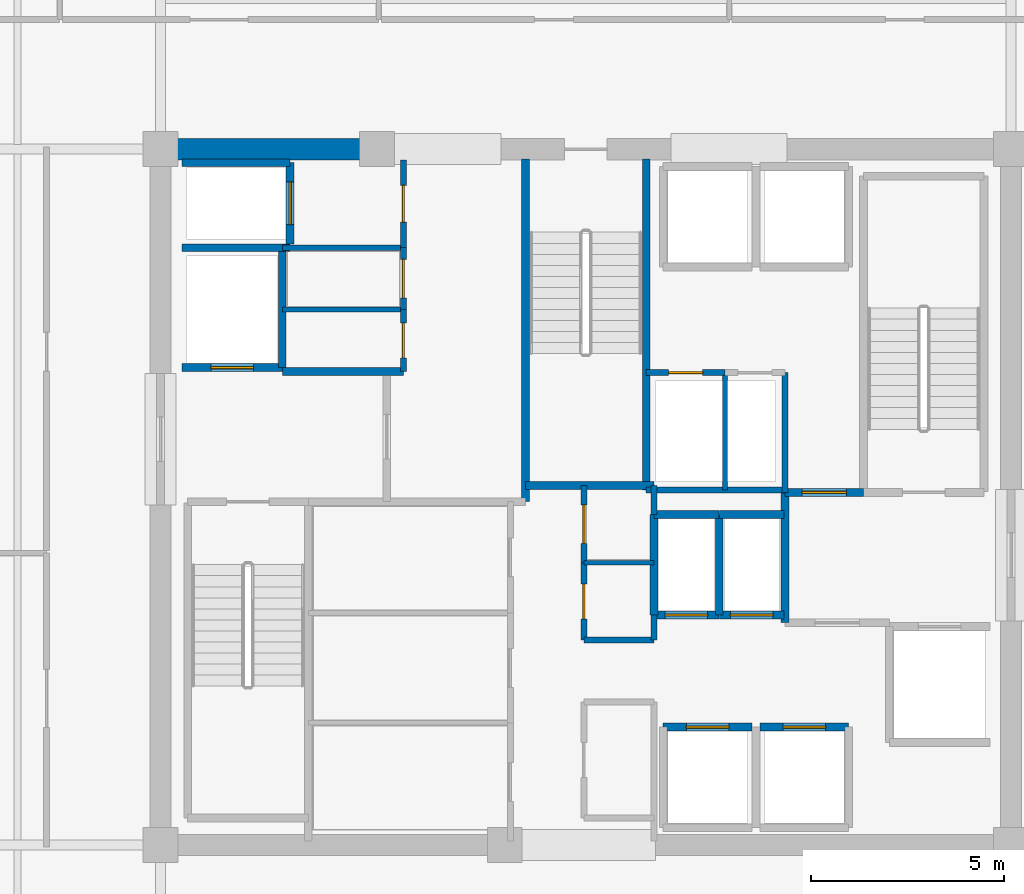
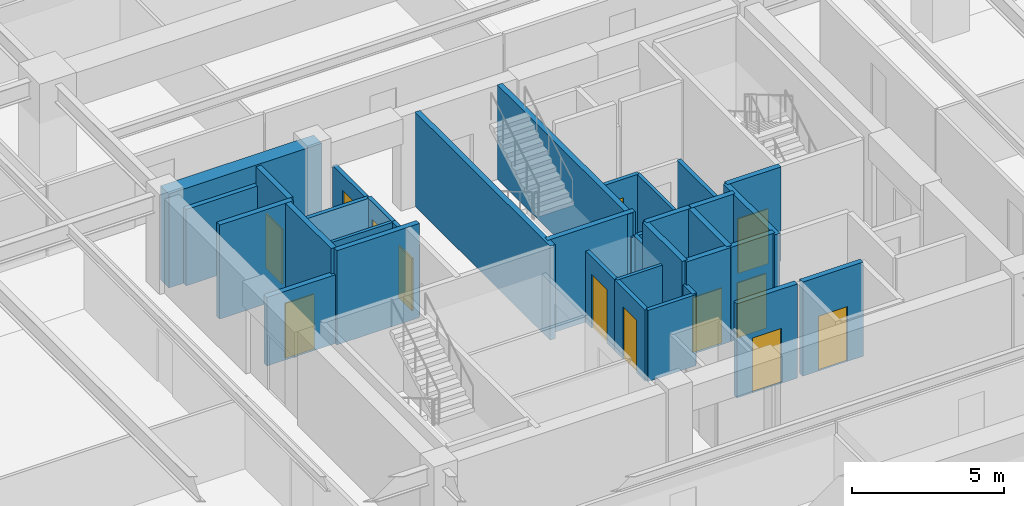
# One storey, part 15 of 21: 35 walls, 13 doors, 13 openings.
"""IFC4 building model written with IfcOpenShell, lengths in metres."""

from ifc_helpers import new_model, si_unit, direction, frame, frame_2d, origin, place, context, subcontext, project, spatial, rectangle, extrude, material, layer, layer_set, type_object, element, fill, save


model = new_model("IFC4")

# Units and contexts
model_context = context("Model", 3, precision=1e-05, world=origin(), true_north=direction((0.0, 1.0)))
body_context = subcontext(model_context, "Body", "Model", "MODEL_VIEW")
ifc_project = project(units=[si_unit("LENGTHUNIT", "METRE"), si_unit("AREAUNIT", "SQUARE_METRE"), si_unit("VOLUMEUNIT", "CUBIC_METRE"), si_unit("PLANEANGLEUNIT", "RADIAN"), si_unit("MASSUNIT", "GRAM", prefix="KILO")], contexts=[model_context])

# Site, building, storey
site_placement = place(None, origin())
site = spatial("IfcSite", under=ifc_project, at=site_placement, CompositionType="ELEMENT")
building_placement = place(site_placement, origin())
building = spatial("IfcBuilding", under=site, at=building_placement, Name="Kovane Verandah Tower", CompositionType="ELEMENT")
storey_placement = place(building_placement, frame((0.0, 0.0, 209.199951171875)))
storey = spatial("IfcBuildingStorey", under=building, at=storey_placement, Name="L48", CompositionType="ELEMENT", Elevation=209.199951171875)

# Walls
ifc_material_1 = material(Name="Fire-Rated Gypsum Stud Partition", Category="gypsum")
ifc_layer_1 = layer(ifc_material_1, 0.14990234375)
ifc_layer_set_1 = layer_set([ifc_layer_1], Name="Fire-Rated Gypsum Stud Partition")
wall_type_1 = type_object("IfcWallType", Name="WL-COR-150", PredefinedType="PARTITIONING", material=ifc_layer_set_1)
wall_1_placement = place(storey_placement, frame((39.949951171875, 23.800048828125, 0.0), z_axis=(0.0, 0.0, 1.0), x_axis=(1.0, 0.0, 0.0)))
element("IfcWall", 1, at=wall_1_placement, inside=storey, type_object=wall_type_1, Name="L48 Core Cross-Passage North Wall", PredefinedType="PARTITIONING", context=body_context, shape_type="SweptSolid", body=[
    extrude(rectangle(XDim=1.81005859375, YDim=0.14990234375, at=frame_2d((0.905029296875, 0.0))), origin(), (0.0, 0.0, 1.0), 2.85009765625),
])
wall_2_placement = place(storey_placement, frame((41.760009765625, 23.800048828125, 0.0), z_axis=(0.0, 0.0, 1.0), x_axis=(0.0, 1.0, 0.0)))
element("IfcWall", 2, at=wall_2_placement, inside=storey, type_object=wall_type_1, Name="L48 Central Core Strip Middle East Wall", PredefinedType="PARTITIONING", context=body_context, shape_type="SweptSolid", body=[
    extrude(rectangle(XDim=0.64990234375, YDim=0.14990234375, at=frame_2d((0.324951171875, 0.0))), origin(), (0.0, 0.0, 1.0), 2.85009765625),
])
wall_3_placement = place(storey_placement, frame((41.760009765625, 27.050048828125, 0.0), z_axis=(0.0, 0.0, 1.0), x_axis=(0.0, 1.0, 0.0)))
element("IfcWall", 3, at=wall_3_placement, inside=storey, type_object=wall_type_1, Name="L48 Central Core Strip Upper East Wall", PredefinedType="PARTITIONING", context=body_context, shape_type="SweptSolid", body=[
    extrude(rectangle(XDim=0.75, YDim=0.14990234375, at=frame_2d((0.375, 0.0))), origin(), (0.0, 0.0, 1.0), 2.85009765625),
])

# Wall, opening, door
wall_4_placement = place(storey_placement, frame((39.949951171875, 23.800048828125, 0.0), z_axis=(0.0, 0.0, 1.0), x_axis=(0.0, 1.0, 0.0)))
wall_4 = element("IfcWall", 4, at=wall_4_placement, inside=storey, type_object=wall_type_1, Name="L48 Female Toilet Partition", PredefinedType="PARTITIONING", context=body_context, shape_type="SweptSolid", body=[
    extrude(rectangle(XDim=2.0, YDim=0.14990234375, at=frame_2d((1.0, 0.0))), origin(), (0.0, 0.0, 1.0), 2.85009765625),
])
opening_1_placement = place(wall_4_placement, frame((0.550048828125, 0.0, 0.0)))
opening_1 = element("IfcOpeningElement", 5, at=opening_1_placement, cuts=wall_4, Name="Opening DR-L48-031", PredefinedType="OPENING", context=body_context, shape_type="SweptSolid", body=[
    extrude(rectangle(XDim=0.89990234375, YDim=2.10009765625, at=frame_2d((0.449951171875, 1.050048828125))), frame((0.0, 0.074951171875, 0.0), z_axis=(0.0, -1.0, 0.0), x_axis=(1.0, 0.0, 0.0)), (0.0, 0.0, 1.0), 0.14990234375),
])
ifc_material_2 = material(Name="Moisture-Resistant Laminate Washroom Door", Category="wood")
door_type_1 = type_object("IfcDoorType", Name="DR-WC-900", OperationType="SINGLE_SWING_LEFT", PredefinedType="DOOR", material=ifc_material_2)
door_1_placement = place(opening_1_placement, origin())
door_1 = element("IfcDoor", 6, at=door_1_placement, inside=storey, type_object=door_type_1, Name="L48 Female Toilet Door", OperationType="SINGLE_SWING_RIGHT", OverallHeight=2.10009765625, OverallWidth=0.89990234375, PredefinedType="DOOR", context=body_context, shape_type="SweptSolid", body=[
    extrude(rectangle(XDim=0.89990234375, YDim=2.10009765625, at=frame_2d((0.449951171875, 1.050048828125))), frame((0.0, 0.02490234375, 0.0), z_axis=(0.0, -1.0, 0.0), x_axis=(1.0, 0.0, 0.0)), (0.0, 0.0, 1.0), 0.050048828125),
])
fill(opening_1, door_1)

wall_5_placement = place(storey_placement, frame((39.949951171875, 25.800048828125, 0.0), z_axis=(0.0, 0.0, 1.0), x_axis=(0.0, 1.0, 0.0)))
wall_5 = element("IfcWall", 7, at=wall_5_placement, inside=storey, type_object=wall_type_1, Name="L48 Central First Aid and Wellness Room Partition", PredefinedType="PARTITIONING", context=body_context, shape_type="SweptSolid", body=[
    extrude(rectangle(XDim=2.0, YDim=0.14990234375, at=frame_2d((1.0, 0.0))), origin(), (0.0, 0.0, 1.0), 2.85009765625),
])
opening_2_placement = place(wall_5_placement, frame((0.5, 0.0, 0.0)))
opening_2 = element("IfcOpeningElement", 8, at=opening_2_placement, cuts=wall_5, Name="Opening DR-L48-029", PredefinedType="OPENING", context=body_context, shape_type="SweptSolid", body=[
    extrude(rectangle(XDim=1.0, YDim=2.14990234375, at=frame_2d((0.5, 1.074951171875))), frame((0.0, 0.074951171875, 0.0), z_axis=(0.0, -1.0, 0.0), x_axis=(1.0, 0.0, 0.0)), (0.0, 0.0, 1.0), 0.14990234375),
])
ifc_material_3 = material(Name="FSC Spotted-Gum Timber Fire-Rated Office Door", Category="wood")
door_type_2 = type_object("IfcDoorType", Name="DR-OFF-1000", OperationType="SINGLE_SWING_LEFT", PredefinedType="DOOR", material=ifc_material_3)
door_2_placement = place(opening_2_placement, origin())
door_2 = element("IfcDoor", 9, at=door_2_placement, inside=storey, type_object=door_type_2, Name="L48 Central First Aid and Wellness Room Door", OperationType="SINGLE_SWING_LEFT", OverallHeight=2.14990234375, OverallWidth=1.0, PredefinedType="DOOR", context=body_context, shape_type="SweptSolid", body=[
    extrude(rectangle(XDim=1.0, YDim=2.14990234375, at=frame_2d((0.5, 1.074951171875))), frame((0.0, 0.02490234375, 0.0), z_axis=(0.0, -1.0, 0.0), x_axis=(1.0, 0.0, 0.0)), (0.0, 0.0, 1.0), 0.050048828125),
])
fill(opening_2, door_2)

# Wall
wall_6_placement = place(storey_placement, frame((32.14990234375, 33.949951171875, 0.0), z_axis=(0.0, 0.0, 1.0), x_axis=(1.0, 0.0, 0.0)))
element("IfcWall", 10, at=wall_6_placement, inside=storey, type_object=wall_type_1, Name="L48 Goods Lift Lobby South Wall", PredefinedType="PARTITIONING", context=body_context, shape_type="SweptSolid", body=[
    extrude(rectangle(XDim=3.130126953125, YDim=0.14990234375, at=frame_2d((1.56494140625, 0.0))), origin(), (0.0, 0.0, 1.0), 2.85009765625),
])

# Wall, opening, door
wall_7_placement = place(storey_placement, frame((35.280029296875, 33.949951171875, 0.0), z_axis=(0.0, 0.0, 1.0), x_axis=(0.0, 1.0, 0.0)))
wall_7 = element("IfcWall", 11, at=wall_7_placement, inside=storey, type_object=wall_type_1, Name="L48 Goods Lift Lobby East Fire Partition", PredefinedType="PARTITIONING", context=body_context, shape_type="SweptSolid", body=[
    extrude(rectangle(XDim=2.27001953125, YDim=0.14990234375, at=frame_2d((1.135009765625, 0.0))), origin(), (0.0, 0.0, 1.0), 2.755126953125),
])
opening_3_placement = place(wall_7_placement, frame((0.659912109375, 0.0, 0.0)))
opening_3 = element("IfcOpeningElement", 12, at=opening_3_placement, cuts=wall_7, Name="Opening DR-L48-008", PredefinedType="OPENING", context=body_context, shape_type="SweptSolid", body=[
    extrude(rectangle(XDim=0.949951171875, YDim=2.14990234375, at=frame_2d((0.47509765625, 1.074951171875))), frame((0.0, 0.074951171875, 0.0), z_axis=(0.0, -1.0, 0.0), x_axis=(1.0, 0.0, 0.0)), (0.0, 0.0, 1.0), 0.14990234375),
])
ifc_material_4 = material(Name="Fire-Rated Steel Refuge and Lobby Door", Category="steel")
door_type_3 = type_object("IfcDoorType", Name="DR-FIRE-950", OperationType="SINGLE_SWING_LEFT", PredefinedType="DOOR", material=ifc_material_4)
door_3_placement = place(opening_3_placement, origin())
door_3 = element("IfcDoor", 13, at=door_3_placement, inside=storey, type_object=door_type_3, Name="L48 Goods Lift Lobby Fire Door", OperationType="SINGLE_SWING_RIGHT", OverallHeight=2.14990234375, OverallWidth=0.949951171875, PredefinedType="DOOR", context=body_context, shape_type="SweptSolid", body=[
    extrude(rectangle(XDim=0.949951171875, YDim=2.14990234375, at=frame_2d((0.47509765625, 1.074951171875))), frame((0.0, 0.02490234375, 0.0), z_axis=(0.0, -1.0, 0.0), x_axis=(1.0, 0.0, 0.0)), (0.0, 0.0, 1.0), 0.050048828125),
])
fill(opening_3, door_3)

wall_8_placement = place(storey_placement, frame((35.280029296875, 30.75, 0.0), z_axis=(0.0, 0.0, 1.0), x_axis=(0.0, 1.0, 0.0)))
wall_8 = element("IfcWall", 14, at=wall_8_placement, inside=storey, type_object=wall_type_1, Name="L48 Accessible Unisex Toilet Partition", PredefinedType="PARTITIONING", context=body_context, shape_type="SweptSolid", body=[
    extrude(rectangle(XDim=1.60009765625, YDim=0.14990234375, at=frame_2d((0.800048828125, 0.0))), origin(), (0.0, 0.0, 1.0), 2.85009765625),
])
opening_4_placement = place(wall_8_placement, frame((0.35009765625, 0.0, 0.0)))
opening_4 = element("IfcOpeningElement", 15, at=opening_4_placement, cuts=wall_8, Name="Opening DR-L48-030", PredefinedType="OPENING", context=body_context, shape_type="SweptSolid", body=[
    extrude(rectangle(XDim=0.89990234375, YDim=2.10009765625, at=frame_2d((0.449951171875, 1.050048828125))), frame((0.0, 0.074951171875, 0.0), z_axis=(0.0, -1.0, 0.0), x_axis=(1.0, 0.0, 0.0)), (0.0, 0.0, 1.0), 0.14990234375),
])
door_4_placement = place(opening_4_placement, origin())
door_4 = element("IfcDoor", 16, at=door_4_placement, inside=storey, type_object=door_type_1, Name="L48 Accessible Unisex Toilet Door", OperationType="SINGLE_SWING_LEFT", OverallHeight=2.10009765625, OverallWidth=0.89990234375, PredefinedType="DOOR", context=body_context, shape_type="SweptSolid", body=[
    extrude(rectangle(XDim=0.89990234375, YDim=2.10009765625, at=frame_2d((0.449951171875, 1.050048828125))), frame((0.0, 0.02490234375, 0.0), z_axis=(0.0, -1.0, 0.0), x_axis=(1.0, 0.0, 0.0)), (0.0, 0.0, 1.0), 0.050048828125),
])
fill(opening_4, door_4)

wall_9_placement = place(storey_placement, frame((35.280029296875, 32.35009765625, 0.0), z_axis=(0.0, 0.0, 1.0), x_axis=(0.0, 1.0, 0.0)))
wall_9 = element("IfcWall", 17, at=wall_9_placement, inside=storey, type_object=wall_type_1, Name="L48 North-West First Aid Room Partition", PredefinedType="PARTITIONING", context=body_context, shape_type="SweptSolid", body=[
    extrude(rectangle(XDim=1.599853515625, YDim=0.14990234375, at=frame_2d((0.7998046875, 0.0))), origin(), (0.0, 0.0, 1.0), 2.85009765625),
])
opening_5_placement = place(wall_9_placement, frame((0.300048828125, 0.0, 0.0)))
opening_5 = element("IfcOpeningElement", 18, at=opening_5_placement, cuts=wall_9, Name="Opening DR-L48-012", PredefinedType="OPENING", context=body_context, shape_type="SweptSolid", body=[
    extrude(rectangle(XDim=1.0, YDim=2.14990234375, at=frame_2d((0.5, 1.074951171875))), frame((0.0, 0.074951171875, 0.0), z_axis=(0.0, -1.0, 0.0), x_axis=(1.0, 0.0, 0.0)), (0.0, 0.0, 1.0), 0.14990234375),
])
door_5_placement = place(opening_5_placement, origin())
door_5 = element("IfcDoor", 19, at=door_5_placement, inside=storey, type_object=door_type_2, Name="L48 North-West First Aid Room Door", OperationType="SINGLE_SWING_RIGHT", OverallHeight=2.14990234375, OverallWidth=1.0, PredefinedType="DOOR", context=body_context, shape_type="SweptSolid", body=[
    extrude(rectangle(XDim=1.0, YDim=2.14990234375, at=frame_2d((0.5, 1.074951171875))), frame((0.0, 0.02490234375, 0.0), z_axis=(0.0, -1.0, 0.0), x_axis=(1.0, 0.0, 0.0)), (0.0, 0.0, 1.0), 0.050048828125),
])
fill(opening_5, door_5)

# Walls
wall_10_placement = place(storey_placement, frame((41.56005859375, 27.679931640625, 0.0), z_axis=(0.0, 0.0, 1.0), x_axis=(1.0, 0.0, 0.0)))
element("IfcWall", 20, at=wall_10_placement, inside=storey, type_object=wall_type_1, Name="L48 East Core Service Riser South Wall", PredefinedType="PARTITIONING", context=body_context, shape_type="SweptSolid", body=[
    extrude(rectangle(XDim=3.58984375, YDim=0.14990234375, at=frame_2d((1.794921875, 0.0))), origin(), (0.0, 0.0, 1.0), 2.85009765625),
])
wall_11_placement = place(storey_placement, frame((45.14990234375, 27.6201171875, 0.0), z_axis=(0.0, 0.0, 1.0), x_axis=(0.0, 1.0, 0.0)))
element("IfcWall", 21, at=wall_11_placement, inside=storey, type_object=wall_type_1, Name="L48 East Core Service Riser East Wall", PredefinedType="PARTITIONING", context=body_context, shape_type="SweptSolid", body=[
    extrude(rectangle(XDim=3.099853515625, YDim=0.14990234375, at=frame_2d((1.5498046875, 0.0))), origin(), (0.0, 0.0, 1.0), 2.85009765625),
])

# Wall, opening, door
wall_12_placement = place(storey_placement, frame((41.56005859375, 30.719970703125, 0.0), z_axis=(0.0, 0.0, 1.0), x_axis=(1.0, 0.0, 0.0)))
wall_12 = element("IfcWall", 22, at=wall_12_placement, inside=storey, type_object=wall_type_1, Name="L48 Electrical Sub-Main Riser Room Partition", PredefinedType="PARTITIONING", context=body_context, shape_type="SweptSolid", body=[
    extrude(rectangle(XDim=2.0400390625, YDim=0.14990234375, at=frame_2d((1.02001953125, 0.0))), origin(), (0.0, 0.0, 1.0), 2.85009765625),
])
opening_6_placement = place(wall_12_placement, frame((0.580078125, 0.0, 0.0)))
opening_6 = element("IfcOpeningElement", 23, at=opening_6_placement, cuts=wall_12, Name="Opening DR-L48-018", PredefinedType="OPENING", context=body_context, shape_type="SweptSolid", body=[
    extrude(rectangle(XDim=0.8798828125, YDim=2.10009765625, at=frame_2d((0.43994140625, 1.050048828125))), frame((0.0, 0.074951171875, 0.0), z_axis=(0.0, -1.0, 0.0), x_axis=(1.0, 0.0, 0.0)), (0.0, 0.0, 1.0), 0.14990234375),
])
ifc_material_5 = material(Name="Fire-Rated Steel Riser Access Door", Category="steel")
door_type_4 = type_object("IfcDoorType", Name="DR-RISER-880", OperationType="SINGLE_SWING_LEFT", PredefinedType="DOOR", material=ifc_material_5)
door_6_placement = place(opening_6_placement, origin())
door_6 = element("IfcDoor", 24, at=door_6_placement, inside=storey, type_object=door_type_4, Name="L48 Electrical Sub-Main Riser Room Door", OperationType="SINGLE_SWING_RIGHT", OverallHeight=2.10009765625, OverallWidth=0.8798828125, PredefinedType="DOOR", context=body_context, shape_type="SweptSolid", body=[
    extrude(rectangle(XDim=0.8798828125, YDim=2.10009765625, at=frame_2d((0.43994140625, 1.050048828125))), frame((0.0, 0.02490234375, 0.0), z_axis=(0.0, -1.0, 0.0), x_axis=(1.0, 0.0, 0.0)), (0.0, 0.0, 1.0), 0.050048828125),
])
fill(opening_6, door_6)

# Walls
ifc_material_6 = material(Name="Concrete C60/75", Category="concrete")
ifc_layer_2 = layer(ifc_material_6, 0.550048828125)
ifc_layer_set_2 = layer_set([ifc_layer_2], Name="Concrete C60/75")
wall_type_2 = type_object("IfcWallType", Name="WL-CORE-550", PredefinedType="SHEAR", material=ifc_layer_set_2)
wall_13_placement = place(storey_placement, frame((29.0, 36.5, 0.0), z_axis=(0.0, 0.0, 1.0), x_axis=(1.0, 0.0, 0.0)))
element("IfcWall", 25, at=wall_13_placement, inside=storey, type_object=wall_type_2, Name="L48 Core Shear Wall CN-1", PredefinedType="SHEAR", context=body_context, shape_type="SweptSolid", body=[
    extrude(rectangle(XDim=5.800048828125, YDim=0.550048828125, at=frame_2d((2.89990234375, 0.0))), origin(), (0.0, 0.0, 1.0), 3.775146484375),
])
ifc_material_7 = material(Name="Concrete C45/55 Fire Wall", Category="concrete")
ifc_layer_3 = layer(ifc_material_7, 0.199951171875)
ifc_layer_set_3 = layer_set([ifc_layer_3], Name="Concrete C45/55 Fire Wall")
wall_type_3 = type_object("IfcWallType", Name="WL-FFL-200", PredefinedType="PARTITIONING", material=ifc_layer_set_3)
wall_14_placement = place(storey_placement, frame((32.14990234375, 30.75, 0.0), z_axis=(0.0, 0.0, 1.0), x_axis=(1.0, 0.0, 0.0)))
element("IfcWall", 26, at=wall_14_placement, inside=storey, type_object=wall_type_3, Name="L48 West Firefighting Lobby North Fire Wall", PredefinedType="PARTITIONING", context=body_context, shape_type="SweptSolid", body=[
    extrude(rectangle(XDim=3.130126953125, YDim=0.199951171875, at=frame_2d((1.56494140625, 0.0))), origin(), (0.0, 0.0, 1.0), 3.775146484375),
])
wall_15_placement = place(storey_placement, frame((45.14990234375, 24.25, 0.0), z_axis=(0.0, 0.0, 1.0), x_axis=(0.0, 1.0, 0.0)))
element("IfcWall", 27, at=wall_15_placement, inside=storey, type_object=wall_type_3, Name="L48 East Firefighting Lobby West Fire Wall", PredefinedType="PARTITIONING", context=body_context, shape_type="SweptSolid", body=[
    extrude(rectangle(XDim=3.3701171875, YDim=0.199951171875, at=frame_2d((1.68505859375, 0.0))), origin(), (0.0, 0.0, 1.0), 3.775146484375),
])

# Wall, opening, door
wall_16_placement = place(storey_placement, frame((45.14990234375, 27.6201171875, 0.0), z_axis=(0.0, 0.0, 1.0), x_axis=(1.0, 0.0, 0.0)))
wall_16 = element("IfcWall", 28, at=wall_16_placement, inside=storey, type_object=wall_type_3, Name="W-L48-FFLE-N", PredefinedType="PARTITIONING", context=body_context, shape_type="SweptSolid", body=[
    extrude(rectangle(XDim=2.030029296875, YDim=0.199951171875, at=frame_2d((1.01513671875, 0.0))), origin(), (0.0, 0.0, 1.0), 3.775146484375),
])
opening_7_placement = place(wall_16_placement, frame((0.43994140625, 0.0, 0.0)))
opening_7 = element("IfcOpeningElement", 29, at=opening_7_placement, cuts=wall_16, Name="Opening DR-L48-004", PredefinedType="OPENING", context=body_context, shape_type="SweptSolid", body=[
    extrude(rectangle(XDim=1.14990234375, YDim=2.199951171875, at=frame_2d((0.574951171875, 1.10009765625))), frame((0.0, 0.10009765625, 0.0), z_axis=(0.0, -1.0, 0.0), x_axis=(1.0, 0.0, 0.0)), (0.0, 0.0, 1.0), 0.199951171875),
])
ifc_material_8 = material(Name="Smoke-Sealed Firefighting Lobby Door", Category="steel")
door_type_5 = type_object("IfcDoorType", Name="DR-FFL-1150", OperationType="SINGLE_SWING_LEFT", PredefinedType="DOOR", material=ifc_material_8)
door_7_placement = place(opening_7_placement, origin())
door_7 = element("IfcDoor", 30, at=door_7_placement, inside=storey, type_object=door_type_5, Name="L48 East Firefighting Lobby Shuttle Link Door", OperationType="SINGLE_SWING_LEFT", OverallHeight=2.199951171875, OverallWidth=1.14990234375, PredefinedType="DOOR", context=body_context, shape_type="SweptSolid", body=[
    extrude(rectangle(XDim=1.14990234375, YDim=2.199951171875, at=frame_2d((0.574951171875, 1.10009765625))), frame((0.0, 0.02490234375, 0.0), z_axis=(0.0, -1.0, 0.0), x_axis=(1.0, 0.0, 0.0)), (0.0, 0.0, 1.0), 0.050048828125),
])
fill(opening_7, door_7)

ifc_material_9 = material(Name="Concrete C45/55 Lift Shaft Wall", Category="concrete")
ifc_layer_4 = layer(ifc_material_9, 0.199951171875)
ifc_layer_set_4 = layer_set([ifc_layer_4], Name="Concrete C45/55 Lift Shaft Wall")
wall_type_4 = type_object("IfcWallType", Name="WL-LIFT-200", PredefinedType="SOLIDWALL", material=ifc_layer_set_4)
wall_17_placement = place(storey_placement, frame((29.550048828125, 30.85009765625, 0.0), z_axis=(0.0, 0.0, 1.0), x_axis=(1.0, 0.0, 0.0)))
wall_17 = element("IfcWall", 31, at=wall_17_placement, inside=storey, type_object=wall_type_4, Name="L48 Lift FL-01 S Shaft Wall", PredefinedType="SOLIDWALL", context=body_context, shape_type="SweptSolid", body=[
    extrude(rectangle(XDim=2.599853515625, YDim=0.199951171875, at=frame_2d((1.2998046875, 0.0))), origin(), (0.0, 0.0, 1.0), 2.755126953125),
])
opening_8_placement = place(wall_17_placement, frame((0.75, 0.0, 0.0)))
opening_8 = element("IfcOpeningElement", 32, at=opening_8_placement, cuts=wall_17, Name="Opening LD-L48-001", PredefinedType="OPENING", context=body_context, shape_type="SweptSolid", body=[
    extrude(rectangle(XDim=1.10009765625, YDim=2.199951171875, at=frame_2d((0.550048828125, 1.10009765625))), frame((0.0, 0.10009765625, 0.0), z_axis=(0.0, -1.0, 0.0), x_axis=(1.0, 0.0, 0.0)), (0.0, 0.0, 1.0), 0.199951171875),
])
ifc_material_10 = material(Name="Brushed Stainless Steel Sliding Lift Landing Door", Category="steel")
door_type_6 = type_object("IfcDoorType", Name="DR-LIFT-1100", OperationType="SLIDING_TO_RIGHT", PredefinedType="DOOR", material=ifc_material_10)
door_8_placement = place(opening_8_placement, origin())
door_8 = element("IfcDoor", 33, at=door_8_placement, inside=storey, type_object=door_type_6, Name="L48 Lift FL-01 Sliding Landing Door", OperationType="SLIDING_TO_RIGHT", OverallHeight=2.199951171875, OverallWidth=1.10009765625, PredefinedType="DOOR", context=body_context, shape_type="SweptSolid", body=[
    extrude(rectangle(XDim=1.10009765625, YDim=2.199951171875, at=frame_2d((0.550048828125, 1.10009765625))), frame((0.0, 0.02490234375, 0.0), z_axis=(0.0, -1.0, 0.0), x_axis=(1.0, 0.0, 0.0)), (0.0, 0.0, 1.0), 0.050048828125),
])
fill(opening_8, door_8)

# Walls
wall_18_placement = place(storey_placement, frame((29.550048828125, 33.949951171875, 0.0), z_axis=(0.0, 0.0, 1.0), x_axis=(1.0, 0.0, 0.0)))
element("IfcWall", 34, at=wall_18_placement, inside=storey, type_object=wall_type_4, Name="L48 Lift FL-01 and GL-01 Shared Shaft Wall", PredefinedType="SOLIDWALL", context=body_context, shape_type="SweptSolid", body=[
    extrude(rectangle(XDim=2.800048828125, YDim=0.199951171875, at=frame_2d((1.39990234375, 0.0))), origin(), (0.0, 0.0, 1.0), 3.775146484375),
])
wall_19_placement = place(storey_placement, frame((32.14990234375, 30.85009765625, 0.0), z_axis=(0.0, 0.0, 1.0), x_axis=(0.0, 1.0, 0.0)))
element("IfcWall", 35, at=wall_19_placement, inside=storey, type_object=wall_type_4, Name="L48 Lift FL-01 E Shaft Wall", PredefinedType="SOLIDWALL", context=body_context, shape_type="SweptSolid", body=[
    extrude(rectangle(XDim=3.0, YDim=0.199951171875, at=frame_2d((1.5, 0.0))), origin(), (0.0, 0.0, 1.0), 3.775146484375),
])
wall_20_placement = place(storey_placement, frame((32.35009765625, 36.14990234375, 0.0), z_axis=(0.0, 0.0, 1.0), x_axis=(-1.0, 0.0, 0.0)))
element("IfcWall", 36, at=wall_20_placement, inside=storey, type_object=wall_type_4, Name="L48 Lift GL-01 N Shaft Wall", PredefinedType="SOLIDWALL", context=body_context, shape_type="SweptSolid", body=[
    extrude(rectangle(XDim=2.800048828125, YDim=0.199951171875, at=frame_2d((1.39990234375, 0.0))), origin(), (0.0, 0.0, 1.0), 3.06201171875),
])

# Wall, opening, door
wall_21_placement = place(storey_placement, frame((32.35009765625, 34.050048828125, 0.0), z_axis=(0.0, 0.0, 1.0), x_axis=(0.0, 1.0, 0.0)))
wall_21 = element("IfcWall", 37, at=wall_21_placement, inside=storey, type_object=wall_type_4, Name="L48 Lift GL-01 E Shaft Wall", PredefinedType="SOLIDWALL", context=body_context, shape_type="SweptSolid", body=[
    extrude(rectangle(XDim=2.099853515625, YDim=0.199951171875, at=frame_2d((1.0498046875, 0.0))), origin(), (0.0, 0.0, 1.0), 3.775146484375),
])
opening_9_placement = place(wall_21_placement, frame((0.5, 0.0, 0.0)))
opening_9 = element("IfcOpeningElement", 38, at=opening_9_placement, cuts=wall_21, Name="Opening LD-L48-003", PredefinedType="OPENING", context=body_context, shape_type="SweptSolid", body=[
    extrude(rectangle(XDim=1.10009765625, YDim=2.199951171875, at=frame_2d((0.550048828125, 1.10009765625))), frame((0.0, 0.10009765625, 0.0), z_axis=(0.0, -1.0, 0.0), x_axis=(1.0, 0.0, 0.0)), (0.0, 0.0, 1.0), 0.199951171875),
])
door_9_placement = place(opening_9_placement, origin())
door_9 = element("IfcDoor", 39, at=door_9_placement, inside=storey, type_object=door_type_6, Name="L48 Lift GL-01 Sliding Landing Door", OperationType="SLIDING_TO_RIGHT", OverallHeight=2.199951171875, OverallWidth=1.10009765625, PredefinedType="DOOR", context=body_context, shape_type="SweptSolid", body=[
    extrude(rectangle(XDim=1.10009765625, YDim=2.199951171875, at=frame_2d((0.550048828125, 1.10009765625))), frame((0.0, 0.02490234375, 0.0), z_axis=(0.0, -1.0, 0.0), x_axis=(1.0, 0.0, 0.0)), (0.0, 0.0, 1.0), 0.050048828125),
])
fill(opening_9, door_9)

wall_22_placement = place(storey_placement, frame((44.300048828125, 21.550048828125, 0.0), z_axis=(0.0, 0.0, 1.0), x_axis=(-1.0, 0.0, 0.0)))
wall_22 = element("IfcWall", 40, at=wall_22_placement, inside=storey, type_object=wall_type_4, Name="L48 Lift PL-M1 N Shaft Wall", PredefinedType="SOLIDWALL", context=body_context, shape_type="SweptSolid", body=[
    extrude(rectangle(XDim=2.300048828125, YDim=0.199951171875, at=frame_2d((1.14990234375, 0.0))), origin(), (0.0, 0.0, 1.0), 3.775146484375),
])
opening_10_placement = place(wall_22_placement, frame((0.60009765625, 0.0, 0.0)))
opening_10 = element("IfcOpeningElement", 41, at=opening_10_placement, cuts=wall_22, Name="Opening LD-L48-004", PredefinedType="OPENING", context=body_context, shape_type="SweptSolid", body=[
    extrude(rectangle(XDim=1.10009765625, YDim=2.199951171875, at=frame_2d((0.550048828125, 1.10009765625))), frame((0.0, 0.10009765625, 0.0), z_axis=(0.0, -1.0, 0.0), x_axis=(1.0, 0.0, 0.0)), (0.0, 0.0, 1.0), 0.199951171875),
])
door_10_placement = place(opening_10_placement, origin())
door_10 = element("IfcDoor", 42, at=door_10_placement, inside=storey, type_object=door_type_6, Name="L48 Lift PL-M1 Sliding Landing Door", OperationType="SLIDING_TO_RIGHT", OverallHeight=2.199951171875, OverallWidth=1.10009765625, PredefinedType="DOOR", context=body_context, shape_type="SweptSolid", body=[
    extrude(rectangle(XDim=1.10009765625, YDim=2.199951171875, at=frame_2d((0.550048828125, 1.10009765625))), frame((0.0, 0.02490234375, 0.0), z_axis=(0.0, -1.0, 0.0), x_axis=(1.0, 0.0, 0.0)), (0.0, 0.0, 1.0), 0.050048828125),
])
fill(opening_10, door_10)

wall_23_placement = place(storey_placement, frame((46.800048828125, 21.550048828125, 0.0), z_axis=(0.0, 0.0, 1.0), x_axis=(-1.0, 0.0, 0.0)))
wall_23 = element("IfcWall", 43, at=wall_23_placement, inside=storey, type_object=wall_type_4, Name="L48 Lift PL-M2 N Shaft Wall", PredefinedType="SOLIDWALL", context=body_context, shape_type="SweptSolid", body=[
    extrude(rectangle(XDim=2.300048828125, YDim=0.199951171875, at=frame_2d((1.14990234375, 0.0))), origin(), (0.0, 0.0, 1.0), 3.775146484375),
])
opening_11_placement = place(wall_23_placement, frame((0.60009765625, 0.0, 0.0)))
opening_11 = element("IfcOpeningElement", 44, at=opening_11_placement, cuts=wall_23, Name="Opening LD-L48-005", PredefinedType="OPENING", context=body_context, shape_type="SweptSolid", body=[
    extrude(rectangle(XDim=1.10009765625, YDim=2.199951171875, at=frame_2d((0.550048828125, 1.10009765625))), frame((0.0, 0.10009765625, 0.0), z_axis=(0.0, -1.0, 0.0), x_axis=(1.0, 0.0, 0.0)), (0.0, 0.0, 1.0), 0.199951171875),
])
door_11_placement = place(opening_11_placement, origin())
door_11 = element("IfcDoor", 45, at=door_11_placement, inside=storey, type_object=door_type_6, Name="L48 Lift PL-M2 Sliding Landing Door", OperationType="SLIDING_TO_RIGHT", OverallHeight=2.199951171875, OverallWidth=1.10009765625, PredefinedType="DOOR", context=body_context, shape_type="SweptSolid", body=[
    extrude(rectangle(XDim=1.10009765625, YDim=2.199951171875, at=frame_2d((0.550048828125, 1.10009765625))), frame((0.0, 0.02490234375, 0.0), z_axis=(0.0, -1.0, 0.0), x_axis=(1.0, 0.0, 0.0)), (0.0, 0.0, 1.0), 0.050048828125),
])
fill(opening_11, door_11)

wall_24_placement = place(storey_placement, frame((41.760009765625, 24.449951171875, 0.0), z_axis=(0.0, 0.0, 1.0), x_axis=(1.0, 0.0, 0.0)))
wall_24 = element("IfcWall", 46, at=wall_24_placement, inside=storey, type_object=wall_type_4, Name="L48 Lift PL-M3 S Shaft Wall", PredefinedType="SOLIDWALL", context=body_context, shape_type="SweptSolid", body=[
    extrude(rectangle(XDim=1.679931640625, YDim=0.199951171875, at=frame_2d((0.83984375, 0.0))), origin(), (0.0, 0.0, 1.0), 3.775146484375),
])
opening_12_placement = place(wall_24_placement, frame((0.2900390625, 0.0, 0.0)))
opening_12 = element("IfcOpeningElement", 47, at=opening_12_placement, cuts=wall_24, Name="Opening LD-L48-006", PredefinedType="OPENING", context=body_context, shape_type="SweptSolid", body=[
    extrude(rectangle(XDim=1.10009765625, YDim=2.199951171875, at=frame_2d((0.550048828125, 1.10009765625))), frame((0.0, 0.10009765625, 0.0), z_axis=(0.0, -1.0, 0.0), x_axis=(1.0, 0.0, 0.0)), (0.0, 0.0, 1.0), 0.199951171875),
])
door_12_placement = place(opening_12_placement, origin())
door_12 = element("IfcDoor", 48, at=door_12_placement, inside=storey, type_object=door_type_6, Name="L48 Lift PL-M3 Sliding Landing Door", OperationType="SLIDING_TO_RIGHT", OverallHeight=2.199951171875, OverallWidth=1.10009765625, PredefinedType="DOOR", context=body_context, shape_type="SweptSolid", body=[
    extrude(rectangle(XDim=1.10009765625, YDim=2.199951171875, at=frame_2d((0.550048828125, 1.10009765625))), frame((0.0, 0.02490234375, 0.0), z_axis=(0.0, -1.0, 0.0), x_axis=(1.0, 0.0, 0.0)), (0.0, 0.0, 1.0), 0.050048828125),
])
fill(opening_12, door_12)

# Walls
wall_25_placement = place(storey_placement, frame((43.43994140625, 27.050048828125, 0.0), z_axis=(0.0, 0.0, 1.0), x_axis=(-1.0, 0.0, 0.0)))
element("IfcWall", 49, at=wall_25_placement, inside=storey, type_object=wall_type_4, Name="L48 Lift PL-M3 N Shaft Wall", PredefinedType="SOLIDWALL", context=body_context, shape_type="SweptSolid", body=[
    extrude(rectangle(XDim=1.679931640625, YDim=0.199951171875, at=frame_2d((0.83984375, 0.0))), origin(), (0.0, 0.0, 1.0), 3.775146484375),
])
for number, where, z_axis, x_axis, name in (
    (50, (41.760009765625, 27.050048828125, 0.0), (0.0, 0.0, 1.0), (0.0, -1.0, 0.0), "L48 Lift PL-M3 W Shaft Wall"),
    (51, (43.449951171875, 24.449951171875, 0.0), (0.0, 0.0, 1.0), (0.0, 1.0, 0.0), "L48 Lift PL-M3 and PL-M4 Shared Shaft Wall"),
):
    element("IfcWall", number, at=place(storey_placement, frame(where, z_axis=z_axis, x_axis=x_axis)), inside=storey, type_object=wall_type_4, Name=name, PredefinedType="SOLIDWALL", context=body_context, shape_type="SweptSolid", body=[
        extrude(rectangle(XDim=2.60009765625, YDim=0.199951171875, at=frame_2d((1.300048828125, 0.0))), origin(), (0.0, 0.0, 1.0), 3.775146484375),
    ])

# Wall, opening, door
wall_26_placement = place(storey_placement, frame((43.4599609375, 24.449951171875, 0.0), z_axis=(0.0, 0.0, 1.0), x_axis=(1.0, 0.0, 0.0)))
wall_26 = element("IfcWall", 52, at=wall_26_placement, inside=storey, type_object=wall_type_4, Name="L48 Lift PL-M4 S Shaft Wall", PredefinedType="SOLIDWALL", context=body_context, shape_type="SweptSolid", body=[
    extrude(rectangle(XDim=1.66015625, YDim=0.199951171875, at=frame_2d((0.830078125, 0.0))), origin(), (0.0, 0.0, 1.0), 3.775146484375),
])
opening_13_placement = place(wall_26_placement, frame((0.280029296875, 0.0, 0.0)))
opening_13 = element("IfcOpeningElement", 53, at=opening_13_placement, cuts=wall_26, Name="Opening LD-L48-007", PredefinedType="OPENING", context=body_context, shape_type="SweptSolid", body=[
    extrude(rectangle(XDim=1.10009765625, YDim=2.199951171875, at=frame_2d((0.550048828125, 1.10009765625))), frame((0.0, 0.10009765625, 0.0), z_axis=(0.0, -1.0, 0.0), x_axis=(1.0, 0.0, 0.0)), (0.0, 0.0, 1.0), 0.199951171875),
])
door_13_placement = place(opening_13_placement, origin())
door_13 = element("IfcDoor", 54, at=door_13_placement, inside=storey, type_object=door_type_6, Name="L48 Lift PL-M4 Sliding Landing Door", OperationType="SLIDING_TO_RIGHT", OverallHeight=2.199951171875, OverallWidth=1.10009765625, PredefinedType="DOOR", context=body_context, shape_type="SweptSolid", body=[
    extrude(rectangle(XDim=1.10009765625, YDim=2.199951171875, at=frame_2d((0.550048828125, 1.10009765625))), frame((0.0, 0.02490234375, 0.0), z_axis=(0.0, -1.0, 0.0), x_axis=(1.0, 0.0, 0.0)), (0.0, 0.0, 1.0), 0.050048828125),
])
fill(opening_13, door_13)

# Walls
wall_27_placement = place(storey_placement, frame((45.1201171875, 27.050048828125, 0.0), z_axis=(0.0, 0.0, 1.0), x_axis=(-1.0, 0.0, 0.0)))
element("IfcWall", 55, at=wall_27_placement, inside=storey, type_object=wall_type_4, Name="L48 Lift PL-M4 N Shaft Wall", PredefinedType="SOLIDWALL", context=body_context, shape_type="SweptSolid", body=[
    extrude(rectangle(XDim=1.66015625, YDim=0.199951171875, at=frame_2d((0.830078125, 0.0))), origin(), (0.0, 0.0, 1.0), 3.775146484375),
])
ifc_material_11 = material(Name="Acoustic Fire-Rated Gypsum Partition", Category="gypsum")
ifc_layer_5 = layer(ifc_material_11, 0.1201171875)
ifc_layer_set_5 = layer_set([ifc_layer_5], Name="Acoustic Fire-Rated Gypsum Partition")
wall_type_5 = type_object("IfcWallType", Name="WL-PART-120", PredefinedType="PARTITIONING", material=ifc_layer_set_5)
wall_28_placement = place(storey_placement, frame((39.949951171875, 25.800048828125, 0.0), z_axis=(0.0, 0.0, 1.0), x_axis=(1.0, 0.0, 0.0)))
element("IfcWall", 56, at=wall_28_placement, inside=storey, type_object=wall_type_5, Name="L48 Central Core Strip Upper Dividing Partition", PredefinedType="PARTITIONING", context=body_context, shape_type="SweptSolid", body=[
    extrude(rectangle(XDim=1.81005859375, YDim=0.1201171875, at=frame_2d((0.905029296875, 0.0))), origin(), (0.0, 0.0, 1.0), 2.85009765625),
])
wall_29_placement = place(storey_placement, frame((32.14990234375, 32.35009765625, 0.0), z_axis=(0.0, 0.0, 1.0), x_axis=(1.0, 0.0, 0.0)))
element("IfcWall", 57, at=wall_29_placement, inside=storey, type_object=wall_type_5, Name="L48 Accessible Washroom and Support Dividing Partition", PredefinedType="PARTITIONING", context=body_context, shape_type="SweptSolid", body=[
    extrude(rectangle(XDim=3.130126953125, YDim=0.1201171875, at=frame_2d((1.56494140625, 0.0))), origin(), (0.0, 0.0, 1.0), 2.85009765625),
])
wall_30_placement = place(storey_placement, frame((43.60009765625, 27.679931640625, 0.0), z_axis=(0.0, 0.0, 1.0), x_axis=(0.0, 1.0, 0.0)))
element("IfcWall", 58, at=wall_30_placement, inside=storey, type_object=wall_type_5, Name="L48 Service Riser Dividing Partition", PredefinedType="PARTITIONING", context=body_context, shape_type="SweptSolid", body=[
    extrude(rectangle(XDim=3.0400390625, YDim=0.1201171875, at=frame_2d((1.52001953125, 0.0))), origin(), (0.0, 0.0, 1.0), 2.85009765625),
])
ifc_material_12 = material(Name="Concrete C45/55", Category="concrete")
ifc_layer_6 = layer(ifc_material_12, 0.199951171875)
ifc_layer_set_6 = layer_set([ifc_layer_6], Name="Concrete C45/55")
wall_type_6 = type_object("IfcWallType", Name="WL-SHAFT-200", PredefinedType="SOLIDWALL", material=ifc_layer_set_6)
wall_31_placement = place(storey_placement, frame((38.43994140625, 27.3798828125, 0.0), z_axis=(0.0, 0.0, 1.0), x_axis=(0.0, 1.0, 0.0)))
element("IfcWall", 59, at=wall_31_placement, inside=storey, type_object=wall_type_6, Name="W-L48-ST03-W", PredefinedType="SOLIDWALL", context=body_context, shape_type="SweptSolid", body=[
    extrude(rectangle(XDim=8.8701171875, YDim=0.199951171875, at=frame_2d((4.43505859375, 0.0))), origin(), (0.0, 0.0, 1.0), 3.775146484375),
])
wall_32_placement = place(storey_placement, frame((41.56005859375, 27.679931640625, 0.0), z_axis=(0.0, 0.0, 1.0), x_axis=(0.0, 1.0, 0.0)))
element("IfcWall", 60, at=wall_32_placement, inside=storey, type_object=wall_type_6, Name="W-L48-ST03-E", PredefinedType="SOLIDWALL", context=body_context, shape_type="SweptSolid", body=[
    extrude(rectangle(XDim=8.570068359375, YDim=0.199951171875, at=frame_2d((4.28515625, 0.0))), origin(), (0.0, 0.0, 1.0), 3.775146484375),
])
wall_33_placement = place(storey_placement, frame((38.43994140625, 27.800048828125, 0.0), z_axis=(0.0, 0.0, 1.0), x_axis=(1.0, 0.0, 0.0)))
element("IfcWall", 61, at=wall_33_placement, inside=storey, type_object=wall_type_6, Name="W-L48-ST03-S", PredefinedType="SOLIDWALL", context=body_context, shape_type="SweptSolid", body=[
    extrude(rectangle(XDim=3.320068359375, YDim=0.199951171875, at=frame_2d((1.66015625, 0.0))), origin(), (0.0, 0.0, 1.0), 3.775146484375),
])

save(model, "model.ifc")
